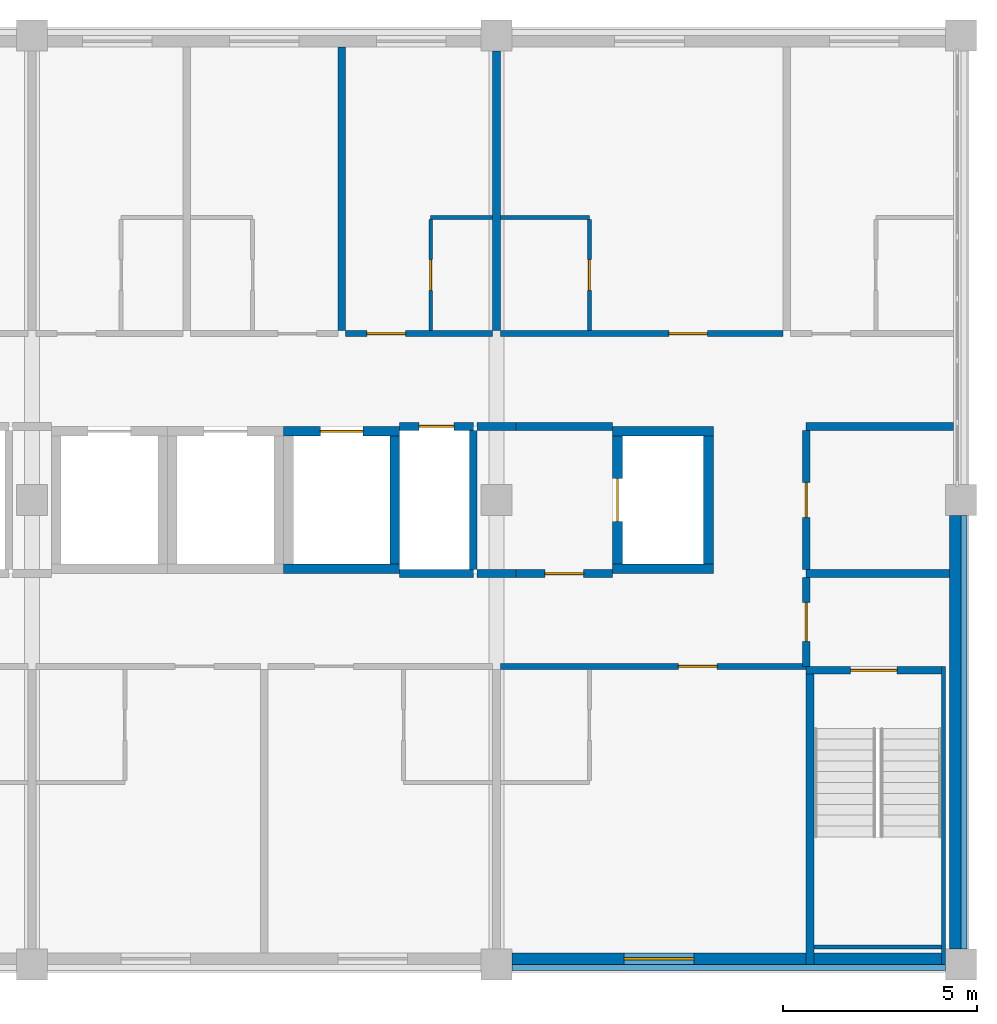
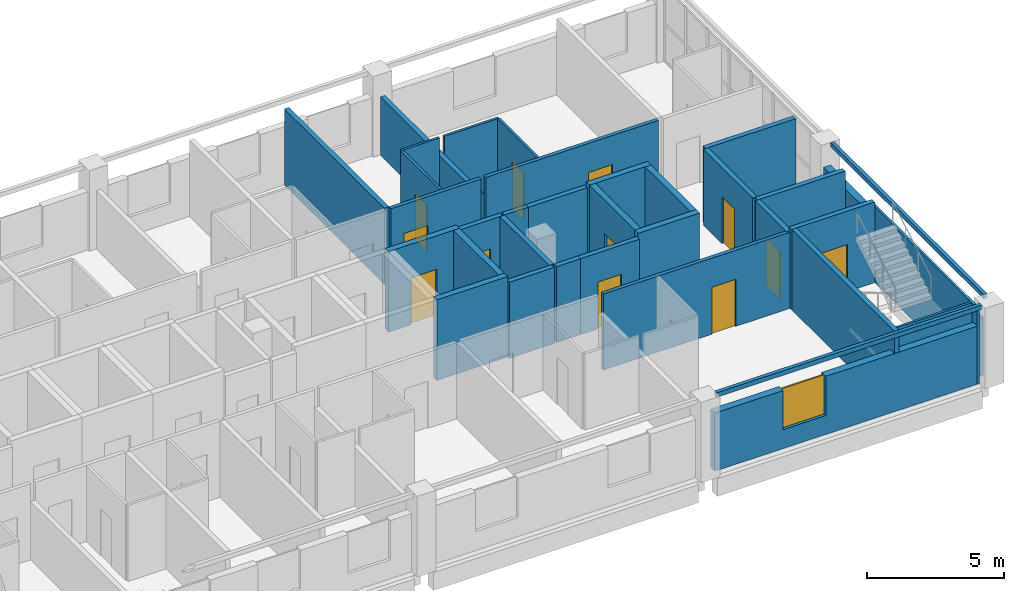
# One storey, part 9 of 11: 35 walls, 12 doors, 1 window, 13 openings.
"""IFC4 building model written with IfcOpenShell, lengths in metres."""

from ifc_helpers import new_model, si_unit, direction, frame, frame_2d, origin, place, context, subcontext, project, spatial, rectangle, extrude, material, layer, layer_set, type_object, element, fill, save


model = new_model("IFC4")

# Units and contexts
model_context = context("Model", 3, precision=1e-05, world=origin(), true_north=direction((0.0, 1.0)))
body_context = subcontext(model_context, "Body", "Model", "MODEL_VIEW")
ifc_project = project(units=[si_unit("LENGTHUNIT", "METRE"), si_unit("AREAUNIT", "SQUARE_METRE"), si_unit("VOLUMEUNIT", "CUBIC_METRE"), si_unit("PLANEANGLEUNIT", "RADIAN"), si_unit("MASSUNIT", "GRAM", prefix="KILO")], contexts=[model_context])

# Site, building, storey
site_placement = place(None, origin())
site = spatial("IfcSite", under=ifc_project, at=site_placement, CompositionType="ELEMENT")
building_placement = place(site_placement, origin())
building = spatial("IfcBuilding", under=site, at=building_placement, Name="Lilac Gate Convention Centre", CompositionType="ELEMENT")
storey_placement = place(building_placement, frame((0.0, 0.0, 46.199951171875)))
storey = spatial("IfcBuildingStorey", under=building, at=storey_placement, Name="L11", CompositionType="ELEMENT", Elevation=46.199951171875)

# Walls
ifc_material_1 = material(Name="Concrete C50", Category="concrete")
ifc_layer_1 = layer(ifc_material_1, 0.10009765625)
ifc_layer_set_1 = layer_set([ifc_layer_1], Name="Concrete C50")
wall_type_1 = type_object("IfcWallType", Name="Core wall 100 C50", PredefinedType="SHEAR", material=ifc_layer_set_1)
wall_1_placement = place(storey_placement, frame((89.550048828125, 229.699951171875, 0.0), z_axis=(0.0, 0.0, 1.0), x_axis=(0.0, -1.0, 0.0)))
element("IfcWall", 1, at=wall_1_placement, inside=storey, type_object=wall_type_1, Name="CRW9 core wall TS-EX L11 1", PredefinedType="SHEAR", context=body_context, shape_type="SweptSolid", body=[
    extrude(rectangle(XDim=7.699951171875, YDim=0.10009765625, at=frame_2d((3.85009765625, 0.0))), origin(), (0.0, 0.0, 1.0), 3.400146484375),
])
wall_2_placement = place(storey_placement, frame((89.5, 222.449951171875, 0.0), z_axis=(0.0, 0.0, 1.0), x_axis=(-1.0, 0.0, 0.0)))
element("IfcWall", 2, at=wall_2_placement, inside=storey, type_object=wall_type_1, Name="CRW9 core wall TS-EX L11 2", PredefinedType="SHEAR", context=body_context, shape_type="SweptSolid", body=[
    extrude(rectangle(XDim=3.300048828125, YDim=0.10009765625, at=frame_2d((1.64990234375, 0.0))), origin(), (0.0, 0.0, 1.0), 3.400146484375),
])

# Wall, opening, door
ifc_layer_2 = layer(ifc_material_1, 0.199951171875)
ifc_layer_set_2 = layer_set([ifc_layer_2], Name="Concrete C50")
wall_type_2 = type_object("IfcWallType", Name="Core wall 200 C50", PredefinedType="SHEAR", material=ifc_layer_set_2)
wall_3_placement = place(storey_placement, frame((89.5, 229.60009765625, 0.0), z_axis=(0.0, 0.0, 1.0), x_axis=(-1.0, 0.0, 0.0)))
wall_3 = element("IfcWall", 3, at=wall_3_placement, inside=storey, type_object=wall_type_2, Name="CRW6 core wall TS-E L11 1", PredefinedType="SHEAR", context=body_context, shape_type="SweptSolid", body=[
    extrude(rectangle(XDim=3.5, YDim=0.199951171875, at=frame_2d((1.75, 0.0))), origin(), (0.0, 0.0, 1.0), 3.60009765625),
])
opening_1_placement = place(wall_3_placement, frame((1.14990234375, 0.0, 0.0)))
opening_1 = element("IfcOpeningElement", 4, at=opening_1_placement, cuts=wall_3, Name="Opening T10-052", PredefinedType="OPENING", context=body_context, shape_type="SweptSolid", body=[
    extrude(rectangle(XDim=1.199951171875, YDim=2.10009765625, at=frame_2d((0.60009765625, 1.050048828125))), frame((0.0, 0.10986328125, 0.0), z_axis=(0.0, -1.0, 0.0), x_axis=(1.0, 0.0, 0.0)), (0.0, 0.0, 1.0), 0.219970703125),
])
ifc_material_2 = material(Name="Steel Q235B", Category="steel")
door_type_1 = type_object("IfcDoorType", Name="Stair door 1200", OperationType="SINGLE_SWING_LEFT", PredefinedType="DOOR", material=ifc_material_2)
door_1_placement = place(opening_1_placement, origin())
door_1 = element("IfcDoor", 5, at=door_1_placement, inside=storey, type_object=door_type_1, Name="Stair door SE L11", OperationType="SINGLE_SWING_RIGHT", OverallHeight=2.10009765625, OverallWidth=1.199951171875, PredefinedType="DOOR", context=body_context, shape_type="SweptSolid", body=[
    extrude(rectangle(XDim=1.199951171875, YDim=2.10009765625, at=frame_2d((0.60009765625, 1.050048828125))), frame((0.0, 0.02490234375, 0.0), z_axis=(0.0, -1.0, 0.0), x_axis=(1.0, 0.0, 0.0)), (0.0, 0.0, 1.0), 0.050048828125),
])
fill(opening_1, door_1)

# Walls
wall_4_placement = place(storey_placement, frame((86.10009765625, 222.0, 0.0), z_axis=(0.0, 0.0, 1.0), x_axis=(0.0, 1.0, 0.0)))
element("IfcWall", 6, at=wall_4_placement, inside=storey, type_object=wall_type_2, Name="CRW6 core wall TS-E L11 2", PredefinedType="SHEAR", context=body_context, shape_type="SweptSolid", body=[
    extrude(rectangle(XDim=7.5, YDim=0.199951171875, at=frame_2d((3.75, 0.0))), origin(), (0.0, 0.0, 1.0), 3.60009765625),
])
ifc_layer_3 = layer(ifc_material_1, 0.25)
ifc_layer_set_3 = layer_set([ifc_layer_3], Name="Concrete C50")
wall_type_3 = type_object("IfcWallType", Name="Core wall 250 C50", PredefinedType="SHEAR", material=ifc_layer_set_3)
wall_5_placement = place(storey_placement, frame((72.5, 232.22509765625, 0.0), z_axis=(0.0, 0.0, 1.0), x_axis=(1.0, 0.0, 0.0)))
element("IfcWall", 7, at=wall_5_placement, inside=storey, type_object=wall_type_3, Name="CRW4 core wall TC L11 21", PredefinedType="SHEAR", context=body_context, shape_type="SweptSolid", body=[
    extrude(rectangle(XDim=3.0, YDim=0.25, at=frame_2d((1.5, 0.0))), origin(), (0.0, 0.0, 1.0), 3.60009765625),
])

# Wall, opening, door
wall_6_placement = place(storey_placement, frame((72.5, 235.77490234375, 0.0), z_axis=(0.0, 0.0, 1.0), x_axis=(1.0, 0.0, 0.0)))
wall_6 = element("IfcWall", 8, at=wall_6_placement, inside=storey, type_object=wall_type_3, Name="CRW4 core wall TC L11 22", PredefinedType="SHEAR", context=body_context, shape_type="SweptSolid", body=[
    extrude(rectangle(XDim=3.0, YDim=0.25, at=frame_2d((1.5, 0.0))), origin(), (0.0, 0.0, 1.0), 3.60009765625),
])
opening_2_placement = place(wall_6_placement, frame((0.949951171875, 0.0, 0.0)))
opening_2 = element("IfcOpeningElement", 9, at=opening_2_placement, cuts=wall_6, Name="Opening T10-047", PredefinedType="OPENING", context=body_context, shape_type="SweptSolid", body=[
    extrude(rectangle(XDim=1.10009765625, YDim=2.10009765625, at=frame_2d((0.550048828125, 1.050048828125))), frame((0.0, 0.135009765625, 0.0), z_axis=(0.0, -1.0, 0.0), x_axis=(1.0, 0.0, 0.0)), (0.0, 0.0, 1.0), 0.27001953125),
])
ifc_material_3 = material(Name="Stainless steel 304", Category="steel")
door_type_2 = type_object("IfcDoorType", Name="Lift landing door 1100", OperationType="SLIDING_TO_LEFT", PredefinedType="DOOR", material=ifc_material_3)
door_2_placement = place(opening_2_placement, origin())
door_2 = element("IfcDoor", 10, at=door_2_placement, inside=storey, type_object=door_type_2, Name="Lift landing door TP6 L11", OperationType="SLIDING_TO_LEFT", OverallHeight=2.10009765625, OverallWidth=1.10009765625, PredefinedType="DOOR", context=body_context, shape_type="SweptSolid", body=[
    extrude(rectangle(XDim=1.10009765625, YDim=2.10009765625, at=frame_2d((0.550048828125, 1.050048828125))), frame((0.0, 0.02490234375, 0.0), z_axis=(0.0, -1.0, 0.0), x_axis=(1.0, 0.0, 0.0)), (0.0, 0.0, 1.0), 0.050048828125),
])
fill(opening_2, door_2)

# Walls
wall_7_placement = place(storey_placement, frame((75.375, 232.35009765625, 0.0), z_axis=(0.0, 0.0, 1.0), x_axis=(0.0, 1.0, 0.0)))
element("IfcWall", 11, at=wall_7_placement, inside=storey, type_object=wall_type_3, Name="CRW4 core wall TC L11 24", PredefinedType="SHEAR", context=body_context, shape_type="SweptSolid", body=[
    extrude(rectangle(XDim=3.2998046875, YDim=0.25, at=frame_2d((1.64990234375, 0.0))), origin(), (0.0, 0.0, 1.0), 3.60009765625),
])
for number, where, z_axis, x_axis, name in (
    (12, (81.0, 232.22509765625, 0.0), (0.0, 0.0, 1.0), (1.0, 0.0, 0.0), "CRW4 core wall TC L11 33"),
    (13, (81.0, 235.77490234375, 0.0), (0.0, 0.0, 1.0), (1.0, 0.0, 0.0), "CRW4 core wall TC L11 34"),
):
    element("IfcWall", number, at=place(storey_placement, frame(where, z_axis=z_axis, x_axis=x_axis)), inside=storey, type_object=wall_type_3, Name=name, PredefinedType="SHEAR", context=body_context, shape_type="SweptSolid", body=[
        extrude(rectangle(XDim=2.60009765625, YDim=0.25, at=frame_2d((1.300048828125, 0.0))), origin(), (0.0, 0.0, 1.0), 3.60009765625),
    ])

# Wall, opening, door
wall_8_placement = place(storey_placement, frame((81.125, 232.35009765625, 0.0), z_axis=(0.0, 0.0, 1.0), x_axis=(0.0, 1.0, 0.0)))
wall_8 = element("IfcWall", 14, at=wall_8_placement, inside=storey, type_object=wall_type_3, Name="CRW4 core wall TC L11 35", PredefinedType="SHEAR", context=body_context, shape_type="SweptSolid", body=[
    extrude(rectangle(XDim=3.2998046875, YDim=0.25, at=frame_2d((1.64990234375, 0.0))), origin(), (0.0, 0.0, 1.0), 3.60009765625),
])
opening_3_placement = place(wall_8_placement, frame((1.10009765625, 0.0, 0.0)))
opening_3 = element("IfcOpeningElement", 15, at=opening_3_placement, cuts=wall_8, Name="Opening T10-050", PredefinedType="OPENING", context=body_context, shape_type="SweptSolid", body=[
    extrude(rectangle(XDim=1.10009765625, YDim=2.10009765625, at=frame_2d((0.550048828125, 1.050048828125))), frame((0.0, 0.135009765625, 0.0), z_axis=(0.0, -1.0, 0.0), x_axis=(1.0, 0.0, 0.0)), (0.0, 0.0, 1.0), 0.27001953125),
])
door_3_placement = place(opening_3_placement, origin())
door_3 = element("IfcDoor", 16, at=door_3_placement, inside=storey, type_object=door_type_2, Name="Lift landing door TF1 L11", OperationType="SLIDING_TO_LEFT", OverallHeight=2.10009765625, OverallWidth=1.10009765625, PredefinedType="DOOR", context=body_context, shape_type="SweptSolid", body=[
    extrude(rectangle(XDim=1.10009765625, YDim=2.10009765625, at=frame_2d((0.550048828125, 1.050048828125))), frame((0.0, 0.02490234375, 0.0), z_axis=(0.0, -1.0, 0.0), x_axis=(1.0, 0.0, 0.0)), (0.0, 0.0, 1.0), 0.050048828125),
])
fill(opening_3, door_3)

# Wall
wall_9_placement = place(storey_placement, frame((83.47509765625, 232.35009765625, 0.0), z_axis=(0.0, 0.0, 1.0), x_axis=(0.0, 1.0, 0.0)))
element("IfcWall", 17, at=wall_9_placement, inside=storey, type_object=wall_type_3, Name="CRW4 core wall TC L11 36", PredefinedType="SHEAR", context=body_context, shape_type="SweptSolid", body=[
    extrude(rectangle(XDim=3.2998046875, YDim=0.25, at=frame_2d((1.64990234375, 0.0))), origin(), (0.0, 0.0, 1.0), 3.60009765625),
])

# Wall, opening, door
ifc_material_4 = material(Name="Gypsum board on steel stud", Category="steel")
ifc_layer_4 = layer(ifc_material_4, 0.14990234375)
ifc_layer_set_4 = layer_set([ifc_layer_4], Name="Gypsum board on steel stud")
wall_type_4 = type_object("IfcWallType", Name="Corridor wall 150", PredefinedType="PARTITIONING", material=ifc_layer_set_4)
wall_10_placement = place(storey_placement, frame((86.0, 229.699951171875, 0.0), z_axis=(0.0, 0.0, 1.0), x_axis=(-1.0, 0.0, 0.0)))
wall_10 = element("IfcWall", 18, at=wall_10_placement, inside=storey, type_object=wall_type_4, Name="Corridor wall 150 front 1108", PredefinedType="PARTITIONING", context=body_context, shape_type="SweptSolid", body=[
    extrude(rectangle(XDim=7.89990234375, YDim=0.14990234375, at=frame_2d((3.949951171875, 0.0))), origin(), (0.0, 0.0, 1.0), 3.400146484375),
])
opening_4_placement = place(wall_10_placement, frame((2.300048828125, 0.0, 0.0)))
opening_4 = element("IfcOpeningElement", 19, at=opening_4_placement, cuts=wall_10, Name="Opening T10-022", PredefinedType="OPENING", context=body_context, shape_type="SweptSolid", body=[
    extrude(rectangle(XDim=1.0, YDim=2.10009765625, at=frame_2d((0.5, 1.050048828125))), frame((0.0, 0.0849609375, 0.0), z_axis=(0.0, -1.0, 0.0), x_axis=(1.0, 0.0, 0.0)), (0.0, 0.0, 1.0), 0.169921875),
])
ifc_material_5 = material(Name="Timber", Category="wood")
door_type_3 = type_object("IfcDoorType", Name="Guest room entrance door 1000", OperationType="SINGLE_SWING_LEFT", PredefinedType="DOOR", material=ifc_material_5)
door_4_placement = place(opening_4_placement, origin())
door_4 = element("IfcDoor", 20, at=door_4_placement, inside=storey, type_object=door_type_3, Name="Guest room door 1108", OperationType="SINGLE_SWING_RIGHT", OverallHeight=2.10009765625, OverallWidth=1.0, PredefinedType="DOOR", context=body_context, shape_type="SweptSolid", body=[
    extrude(rectangle(XDim=1.0, YDim=2.10009765625, at=frame_2d((0.5, 1.050048828125))), frame((0.0, 0.02490234375, 0.0), z_axis=(0.0, -1.0, 0.0), x_axis=(1.0, 0.0, 0.0)), (0.0, 0.0, 1.0), 0.050048828125),
])
fill(opening_4, door_4)

wall_11_placement = place(storey_placement, frame((74.10009765625, 238.300048828125, 0.0), z_axis=(0.0, 0.0, 1.0), x_axis=(1.0, 0.0, 0.0)))
wall_11 = element("IfcWall", 21, at=wall_11_placement, inside=storey, type_object=wall_type_4, Name="Corridor wall 150 front 1115", PredefinedType="PARTITIONING", context=body_context, shape_type="SweptSolid", body=[
    extrude(rectangle(XDim=3.7998046875, YDim=0.14990234375, at=frame_2d((1.89990234375, 0.0))), origin(), (0.0, 0.0, 1.0), 3.400146484375),
])
opening_5_placement = place(wall_11_placement, frame((0.550048828125, 0.0, 0.0)))
opening_5 = element("IfcOpeningElement", 22, at=opening_5_placement, cuts=wall_11, Name="Opening T10-036", PredefinedType="OPENING", context=body_context, shape_type="SweptSolid", body=[
    extrude(rectangle(XDim=1.0, YDim=2.10009765625, at=frame_2d((0.5, 1.050048828125))), frame((0.0, 0.0849609375, 0.0), z_axis=(0.0, -1.0, 0.0), x_axis=(1.0, 0.0, 0.0)), (0.0, 0.0, 1.0), 0.169921875),
])
door_5_placement = place(opening_5_placement, origin())
door_5 = element("IfcDoor", 23, at=door_5_placement, inside=storey, type_object=door_type_3, Name="Guest room door 1115", OperationType="SINGLE_SWING_LEFT", OverallHeight=2.10009765625, OverallWidth=1.0, PredefinedType="DOOR", context=body_context, shape_type="SweptSolid", body=[
    extrude(rectangle(XDim=1.0, YDim=2.10009765625, at=frame_2d((0.5, 1.050048828125))), frame((0.0, 0.02490234375, 0.0), z_axis=(0.0, -1.0, 0.0), x_axis=(1.0, 0.0, 0.0)), (0.0, 0.0, 1.0), 0.050048828125),
])
fill(opening_5, door_5)

wall_12_placement = place(storey_placement, frame((78.10009765625, 238.300048828125, 0.0), z_axis=(0.0, 0.0, 1.0), x_axis=(1.0, 0.0, 0.0)))
wall_12 = element("IfcWall", 24, at=wall_12_placement, inside=storey, type_object=wall_type_4, Name="Corridor wall 150 front 1116", PredefinedType="PARTITIONING", context=body_context, shape_type="SweptSolid", body=[
    extrude(rectangle(XDim=7.2998046875, YDim=0.14990234375, at=frame_2d((3.64990234375, 0.0))), origin(), (0.0, 0.0, 1.0), 3.400146484375),
])
opening_6_placement = place(wall_12_placement, frame((4.35009765625, 0.0, 0.0)))
opening_6 = element("IfcOpeningElement", 25, at=opening_6_placement, cuts=wall_12, Name="Opening T10-038", PredefinedType="OPENING", context=body_context, shape_type="SweptSolid", body=[
    extrude(rectangle(XDim=1.0, YDim=2.10009765625, at=frame_2d((0.5, 1.050048828125))), frame((0.0, 0.0849609375, 0.0), z_axis=(0.0, -1.0, 0.0), x_axis=(1.0, 0.0, 0.0)), (0.0, 0.0, 1.0), 0.169921875),
])
door_6_placement = place(opening_6_placement, origin())
door_6 = element("IfcDoor", 26, at=door_6_placement, inside=storey, type_object=door_type_3, Name="Guest room door 1116", OperationType="SINGLE_SWING_LEFT", OverallHeight=2.10009765625, OverallWidth=1.0, PredefinedType="DOOR", context=body_context, shape_type="SweptSolid", body=[
    extrude(rectangle(XDim=1.0, YDim=2.10009765625, at=frame_2d((0.5, 1.050048828125))), frame((0.0, 0.02490234375, 0.0), z_axis=(0.0, -1.0, 0.0), x_axis=(1.0, 0.0, 0.0)), (0.0, 0.0, 1.0), 0.050048828125),
])
fill(opening_6, door_6)

# Wall
ifc_layer_5 = layer(ifc_material_4, 0.10009765625)
ifc_layer_set_5 = layer_set([ifc_layer_5], Name="Gypsum board on steel stud")
wall_type_5 = type_object("IfcWallType", Name="En-suite wall 100", PredefinedType="PARTITIONING", material=ifc_layer_set_5)
wall_13_placement = place(storey_placement, frame((76.300048828125, 241.300048828125, 0.0), z_axis=(0.0, 0.0, 1.0), x_axis=(1.0, 0.0, 0.0)))
element("IfcWall", 27, at=wall_13_placement, inside=storey, type_object=wall_type_5, Name="En-suite wall 100 bath 1115", PredefinedType="PARTITIONING", context=body_context, shape_type="SweptSolid", body=[
    extrude(rectangle(XDim=1.599853515625, YDim=0.10009765625, at=frame_2d((0.7998046875, 0.0))), origin(), (0.0, 0.0, 1.0), 3.400146484375),
])

# Wall, opening, door
wall_14_placement = place(storey_placement, frame((76.300048828125, 238.375, 0.0), z_axis=(0.0, 0.0, 1.0), x_axis=(0.0, 1.0, 0.0)))
wall_14 = element("IfcWall", 28, at=wall_14_placement, inside=storey, type_object=wall_type_5, Name="En-suite wall 100 bath side 1115", PredefinedType="PARTITIONING", context=body_context, shape_type="SweptSolid", body=[
    extrude(rectangle(XDim=2.875, YDim=0.10009765625, at=frame_2d((1.4375, 0.0))), origin(), (0.0, 0.0, 1.0), 3.400146484375),
])
opening_7_placement = place(wall_14_placement, frame((1.03759765625, 0.0, 0.0)))
opening_7 = element("IfcOpeningElement", 29, at=opening_7_placement, cuts=wall_14, Name="Opening T10-037", PredefinedType="OPENING", context=body_context, shape_type="SweptSolid", body=[
    extrude(rectangle(XDim=0.800048828125, YDim=2.10009765625, at=frame_2d((0.39990234375, 1.050048828125))), frame((0.0, 0.06005859375, 0.0), z_axis=(0.0, -1.0, 0.0), x_axis=(1.0, 0.0, 0.0)), (0.0, 0.0, 1.0), 0.1201171875),
])
door_type_4 = type_object("IfcDoorType", Name="En-suite door 800", OperationType="SINGLE_SWING_LEFT", PredefinedType="DOOR", material=ifc_material_5)
door_7_placement = place(opening_7_placement, origin())
door_7 = element("IfcDoor", 30, at=door_7_placement, inside=storey, type_object=door_type_4, Name="En-suite door 1115", OperationType="SINGLE_SWING_LEFT", OverallHeight=2.10009765625, OverallWidth=0.800048828125, PredefinedType="DOOR", context=body_context, shape_type="SweptSolid", body=[
    extrude(rectangle(XDim=0.800048828125, YDim=2.10009765625, at=frame_2d((0.39990234375, 1.050048828125))), frame((0.0, 0.02490234375, 0.0), z_axis=(0.0, -1.0, 0.0), x_axis=(1.0, 0.0, 0.0)), (0.0, 0.0, 1.0), 0.050048828125),
])
fill(opening_7, door_7)

# Wall
wall_15_placement = place(storey_placement, frame((78.10009765625, 241.300048828125, 0.0), z_axis=(0.0, 0.0, 1.0), x_axis=(1.0, 0.0, 0.0)))
element("IfcWall", 31, at=wall_15_placement, inside=storey, type_object=wall_type_5, Name="En-suite wall 100 bath 1116", PredefinedType="PARTITIONING", context=body_context, shape_type="SweptSolid", body=[
    extrude(rectangle(XDim=2.2998046875, YDim=0.10009765625, at=frame_2d((1.14990234375, 0.0))), origin(), (0.0, 0.0, 1.0), 3.400146484375),
])

# Wall, opening, door
wall_16_placement = place(storey_placement, frame((80.39990234375, 241.25, 0.0), z_axis=(0.0, 0.0, 1.0), x_axis=(0.0, -1.0, 0.0)))
wall_16 = element("IfcWall", 32, at=wall_16_placement, inside=storey, type_object=wall_type_5, Name="En-suite wall 100 bath side 1116", PredefinedType="PARTITIONING", context=body_context, shape_type="SweptSolid", body=[
    extrude(rectangle(XDim=2.875, YDim=0.10009765625, at=frame_2d((1.4375, 0.0))), origin(), (0.0, 0.0, 1.0), 3.400146484375),
])
opening_8_placement = place(wall_16_placement, frame((1.03759765625, 0.0, 0.0)))
opening_8 = element("IfcOpeningElement", 33, at=opening_8_placement, cuts=wall_16, Name="Opening T10-039", PredefinedType="OPENING", context=body_context, shape_type="SweptSolid", body=[
    extrude(rectangle(XDim=0.800048828125, YDim=2.10009765625, at=frame_2d((0.39990234375, 1.050048828125))), frame((0.0, 0.06005859375, 0.0), z_axis=(0.0, -1.0, 0.0), x_axis=(1.0, 0.0, 0.0)), (0.0, 0.0, 1.0), 0.1201171875),
])
door_8_placement = place(opening_8_placement, origin())
door_8 = element("IfcDoor", 34, at=door_8_placement, inside=storey, type_object=door_type_4, Name="En-suite door 1116", OperationType="SINGLE_SWING_RIGHT", OverallHeight=2.10009765625, OverallWidth=0.800048828125, PredefinedType="DOOR", context=body_context, shape_type="SweptSolid", body=[
    extrude(rectangle(XDim=0.800048828125, YDim=2.10009765625, at=frame_2d((0.39990234375, 1.050048828125))), frame((0.0, 0.02490234375, 0.0), z_axis=(0.0, -1.0, 0.0), x_axis=(1.0, 0.0, 0.0)), (0.0, 0.0, 1.0), 0.050048828125),
])
fill(opening_8, door_8)

# Walls
ifc_layer_6 = layer(ifc_material_4, 0.199951171875)
ifc_layer_set_6 = layer_set([ifc_layer_6], Name="Gypsum board on steel stud")
wall_type_6 = type_object("IfcWallType", Name="Guest room party wall 200", PredefinedType="PARTITIONING", material=ifc_layer_set_6)
wall_17_placement = place(storey_placement, frame((74.0, 245.7001953125, 0.0), z_axis=(0.0, 0.0, 1.0), x_axis=(0.0, -1.0, 0.0)))
element("IfcWall", 35, at=wall_17_placement, inside=storey, type_object=wall_type_6, Name="Guest room party wall 200 party 74.0", PredefinedType="PARTITIONING", context=body_context, shape_type="SweptSolid", body=[
    extrude(rectangle(XDim=7.3251953125, YDim=0.199951171875, at=frame_2d((3.66259765625, 0.0))), origin(), (0.0, 0.0, 1.0), 3.400146484375),
])
wall_18_placement = place(storey_placement, frame((78.0, 245.60009765625, 0.0), z_axis=(0.0, 0.0, 1.0), x_axis=(0.0, -1.0, 0.0)))
element("IfcWall", 36, at=wall_18_placement, inside=storey, type_object=wall_type_6, Name="Guest room party wall 200 party 78.0", PredefinedType="PARTITIONING", context=body_context, shape_type="SweptSolid", body=[
    extrude(rectangle(XDim=7.22509765625, YDim=0.199951171875, at=frame_2d((3.612548828125, 0.0))), origin(), (0.0, 0.0, 1.0), 2.60009765625),
])

# Wall, opening, door
ifc_layer_7 = layer(ifc_material_4, 0.199951171875)
ifc_layer_set_7 = layer_set([ifc_layer_7], Name="Gypsum board on steel stud")
wall_type_7 = type_object("IfcWallType", Name="Lobby wall 200", PredefinedType="PARTITIONING", material=ifc_layer_set_7)
wall_19_placement = place(storey_placement, frame((78.5, 232.10009765625, 0.0), z_axis=(0.0, 0.0, 1.0), x_axis=(1.0, 0.0, 0.0)))
wall_19 = element("IfcWall", 37, at=wall_19_placement, inside=storey, type_object=wall_type_7, Name="Lobby wall 200 FFL-S", PredefinedType="PARTITIONING", context=body_context, shape_type="SweptSolid", body=[
    extrude(rectangle(XDim=2.5, YDim=0.199951171875, at=frame_2d((1.25, 0.0))), origin(), (0.0, 0.0, 1.0), 3.400146484375),
])
opening_9_placement = place(wall_19_placement, frame((0.75, 0.0, 0.0)))
opening_9 = element("IfcOpeningElement", 38, at=opening_9_placement, cuts=wall_19, Name="Opening T10-004", PredefinedType="OPENING", context=body_context, shape_type="SweptSolid", body=[
    extrude(rectangle(XDim=1.0, YDim=2.10009765625, at=frame_2d((0.5, 1.050048828125))), frame((0.0, 0.10986328125, 0.0), z_axis=(0.0, -1.0, 0.0), x_axis=(1.0, 0.0, 0.0)), (0.0, 0.0, 1.0), 0.219970703125),
])
door_type_5 = type_object("IfcDoorType", Name="Lobby door 1000", OperationType="SINGLE_SWING_LEFT", PredefinedType="DOOR", material=ifc_material_2)
door_9_placement = place(opening_9_placement, origin())
door_9 = element("IfcDoor", 39, at=door_9_placement, inside=storey, type_object=door_type_5, Name="Firefighting lobby door", OperationType="SINGLE_SWING_RIGHT", OverallHeight=2.10009765625, OverallWidth=1.0, PredefinedType="DOOR", context=body_context, shape_type="SweptSolid", body=[
    extrude(rectangle(XDim=1.0, YDim=2.10009765625, at=frame_2d((0.5, 1.050048828125))), frame((0.0, 0.02490234375, 0.0), z_axis=(0.0, -1.0, 0.0), x_axis=(1.0, 0.0, 0.0)), (0.0, 0.0, 1.0), 0.050048828125),
])
fill(opening_9, door_9)

# Walls
wall_20_placement = place(storey_placement, frame((86.0, 232.10009765625, 0.0), z_axis=(0.0, 0.0, 1.0), x_axis=(1.0, 0.0, 0.0)))
element("IfcWall", 40, at=wall_20_placement, inside=storey, type_object=wall_type_7, Name="Lobby wall 200 STL-N", PredefinedType="PARTITIONING", context=body_context, shape_type="SweptSolid", body=[
    extrude(rectangle(XDim=3.7001953125, YDim=0.199951171875, at=frame_2d((1.85009765625, 0.0))), origin(), (0.0, 0.0, 1.0), 3.400146484375),
])
wall_21_placement = place(storey_placement, frame((78.5, 235.89990234375, 0.0), z_axis=(0.0, 0.0, 1.0), x_axis=(1.0, 0.0, 0.0)))
element("IfcWall", 41, at=wall_21_placement, inside=storey, type_object=wall_type_7, Name="Lobby wall 200 FFL-N", PredefinedType="PARTITIONING", context=body_context, shape_type="SweptSolid", body=[
    extrude(rectangle(XDim=2.5, YDim=0.199951171875, at=frame_2d((1.25, 0.0))), origin(), (0.0, 0.0, 1.0), 3.400146484375),
])

# Wall, opening, door
wall_22_placement = place(storey_placement, frame((86.0, 232.0, 0.0), z_axis=(0.0, 0.0, 1.0), x_axis=(0.0, -1.0, 0.0)))
wall_22 = element("IfcWall", 42, at=wall_22_placement, inside=storey, type_object=wall_type_7, Name="Lobby wall 200 STL-SE-W", PredefinedType="PARTITIONING", context=body_context, shape_type="SweptSolid", body=[
    extrude(rectangle(XDim=2.300048828125, YDim=0.199951171875, at=frame_2d((1.14990234375, 0.0))), origin(), (0.0, 0.0, 1.0), 3.400146484375),
])
opening_10_placement = place(wall_22_placement, frame((0.64990234375, 0.0, 0.0)))
opening_10 = element("IfcOpeningElement", 43, at=opening_10_placement, cuts=wall_22, Name="Opening T10-007", PredefinedType="OPENING", context=body_context, shape_type="SweptSolid", body=[
    extrude(rectangle(XDim=1.0, YDim=2.10009765625, at=frame_2d((0.5, 1.050048828125))), frame((0.0, 0.10986328125, 0.0), z_axis=(0.0, -1.0, 0.0), x_axis=(1.0, 0.0, 0.0)), (0.0, 0.0, 1.0), 0.219970703125),
])
door_10_placement = place(opening_10_placement, origin())
door_10 = element("IfcDoor", 44, at=door_10_placement, inside=storey, type_object=door_type_5, Name="Stair lobby door SE", OperationType="SINGLE_SWING_LEFT", OverallHeight=2.10009765625, OverallWidth=1.0, PredefinedType="DOOR", context=body_context, shape_type="SweptSolid", body=[
    extrude(rectangle(XDim=1.0, YDim=2.10009765625, at=frame_2d((0.5, 1.050048828125))), frame((0.0, 0.02490234375, 0.0), z_axis=(0.0, -1.0, 0.0), x_axis=(1.0, 0.0, 0.0)), (0.0, 0.0, 1.0), 0.050048828125),
])
fill(opening_10, door_10)

# Walls
ifc_material_6 = material(Name="Concrete C40 precast", Category="concrete")
ifc_layer_8 = layer(ifc_material_6, 0.1298828125)
ifc_material_7 = material(Name="Teal glazed cladding")
ifc_layer_9 = layer(ifc_material_7, 0.02001953125)
ifc_layer_set_8 = layer_set([ifc_layer_8, ifc_layer_9], Name="Concrete C40 precast, Teal glazed cladding")
wall_type_8 = type_object("IfcWallType", Name="Precast band teal 150", PredefinedType="STANDARD", material=ifc_layer_set_8)
for number, where, z_axis, x_axis, name in (
    (45, (78.39990234375, 221.925048828125, 3.400146484375), (0.0, 0.0, 1.0), (1.0, 0.0, 0.0), "Precast band S L11 4"),
    (46, (90.074951171875, 222.39990234375, 3.400146484375), (0.0, 0.0, 1.0), (0.0, 1.0, 0.0), "Precast band E L11 1"),
):
    element("IfcWall", number, at=place(storey_placement, frame(where, z_axis=z_axis, x_axis=x_axis)), inside=storey, type_object=wall_type_8, Name=name, PredefinedType="STANDARD", context=body_context, shape_type="SweptSolid", body=[
        extrude(rectangle(XDim=11.2001953125, YDim=0.14990234375, at=frame_2d((5.60009765625, 0.0))), origin(), (0.0, 0.0, 1.0), 0.199951171875),
    ])

# Wall, opening, window
ifc_material_8 = material(Name="Ochre mineral render")
ifc_layer_10 = layer(ifc_material_8, 0.02001953125)
ifc_layer_11 = layer(ifc_material_6, 0.06005859375)
ifc_material_9 = material(Name="Ventilated air cavity")
ifc_layer_12 = layer(ifc_material_9, 0.030029296875)
ifc_material_10 = material(Name="Mineral wool insulation")
ifc_layer_13 = layer(ifc_material_10, 0.1201171875)
ifc_material_11 = material(Name="Steel stud Q345 and gypsum lining", Category="steel")
ifc_layer_14 = layer(ifc_material_11, 0.070068359375)
ifc_layer_set_9 = layer_set([ifc_layer_10, ifc_layer_11, ifc_layer_12, ifc_layer_13, ifc_layer_14], Name="Ochre mineral render, Concrete C40 precast, Ventilated air cavity, Mineral wool insulation, Steel stud Q345 and gypsum lining")
wall_type_9 = type_object("IfcWallType", Name="Precast panel wall ochre 300", PredefinedType="STANDARD", material=ifc_layer_set_9)
wall_23_placement = place(storey_placement, frame((78.39990234375, 222.14990234375, 0.0), z_axis=(0.0, 0.0, 1.0), x_axis=(1.0, 0.0, 0.0)))
wall_23 = element("IfcWall", 47, at=wall_23_placement, inside=storey, type_object=wall_type_9, Name="External wall S L11 4", PredefinedType="STANDARD", context=body_context, shape_type="SweptSolid", body=[
    extrude(rectangle(XDim=11.2001953125, YDim=0.300048828125, at=frame_2d((5.60009765625, 0.0))), origin(), (0.0, 0.0, 1.0), 2.60009765625),
])
opening_11_placement = place(wall_23_placement, frame((2.89990234375, 0.0, 0.85009765625)))
opening_11 = element("IfcOpeningElement", 48, at=opening_11_placement, cuts=wall_23, Name="Opening W1", PredefinedType="OPENING", context=body_context, shape_type="SweptSolid", body=[
    extrude(rectangle(XDim=1.800048828125, YDim=1.75, at=frame_2d((0.89990234375, 0.875))), frame((0.0, 0.159912109375, 0.0), z_axis=(0.0, -1.0, 0.0), x_axis=(1.0, 0.0, 0.0)), (0.0, 0.0, 1.0), 0.320068359375),
])
ifc_material_12 = material(Name="Aluminium framed double glazing", Category="aluminium")
window_type = type_object("IfcWindowType", Name="Guest room window 1800 x 1750", PartitioningType="DOUBLE_PANEL_VERTICAL", PredefinedType="WINDOW", material=ifc_material_12)
window_placement = place(opening_11_placement, origin())
window = element("IfcWindow", 49, at=window_placement, inside=storey, type_object=window_type, Name="Window Guest S L11", OverallHeight=1.75, OverallWidth=1.800048828125, PartitioningType="SINGLE_PANEL", PredefinedType="WINDOW", context=body_context, shape_type="SweptSolid", body=[
    extrude(rectangle(XDim=1.800048828125, YDim=1.75, at=frame_2d((0.89990234375, 0.875))), frame((0.0, 0.030029296875, 0.0), z_axis=(0.0, -1.0, 0.0), x_axis=(1.0, 0.0, 0.0)), (0.0, 0.0, 1.0), 0.06005859375),
])
fill(opening_11, window)

# Walls
wall_24_placement = place(storey_placement, frame((89.85009765625, 222.39990234375, 0.0), z_axis=(0.0, 0.0, 1.0), x_axis=(0.0, 1.0, 0.0)))
element("IfcWall", 50, at=wall_24_placement, inside=storey, type_object=wall_type_9, Name="External wall E L11 1", PredefinedType="STANDARD", context=body_context, shape_type="SweptSolid", body=[
    extrude(rectangle(XDim=11.2001953125, YDim=0.300048828125, at=frame_2d((5.60009765625, 0.0))), origin(), (0.0, 0.0, 1.0), 2.60009765625),
])
ifc_layer_15 = layer(ifc_material_4, 0.199951171875)
ifc_layer_set_10 = layer_set([ifc_layer_15], Name="Gypsum board on steel stud")
wall_type_10 = type_object("IfcWallType", Name="Riser and store wall 200", PredefinedType="PARTITIONING", material=ifc_layer_set_10)
wall_25_placement = place(storey_placement, frame((75.5, 232.10009765625, 0.0), z_axis=(0.0, 0.0, 1.0), x_axis=(1.0, 0.0, 0.0)))
element("IfcWall", 51, at=wall_25_placement, inside=storey, type_object=wall_type_10, Name="Riser and store wall 200 RS2-S", PredefinedType="PARTITIONING", context=body_context, shape_type="SweptSolid", body=[
    extrude(rectangle(XDim=1.89990234375, YDim=0.199951171875, at=frame_2d((0.949951171875, 0.0))), origin(), (0.0, 0.0, 1.0), 3.400146484375),
])
wall_26_placement = place(storey_placement, frame((77.5, 232.10009765625, 0.0), z_axis=(0.0, 0.0, 1.0), x_axis=(1.0, 0.0, 0.0)))
element("IfcWall", 52, at=wall_26_placement, inside=storey, type_object=wall_type_10, Name="Riser and store wall 200 NICHE3-S", PredefinedType="PARTITIONING", context=body_context, shape_type="SweptSolid", body=[
    extrude(rectangle(XDim=1.0, YDim=0.199951171875, at=frame_2d((0.5, 0.0))), origin(), (0.0, 0.0, 1.0), 3.400146484375),
])

# Wall, opening, door
wall_27_placement = place(storey_placement, frame((77.39990234375, 235.89990234375, 0.0), z_axis=(0.0, 0.0, 1.0), x_axis=(-1.0, 0.0, 0.0)))
wall_27 = element("IfcWall", 53, at=wall_27_placement, inside=storey, type_object=wall_type_10, Name="Riser and store wall 200 RS2-N", PredefinedType="PARTITIONING", context=body_context, shape_type="SweptSolid", body=[
    extrude(rectangle(XDim=1.89990234375, YDim=0.199951171875, at=frame_2d((0.949951171875, 0.0))), origin(), (0.0, 0.0, 1.0), 3.400146484375),
])
opening_12_placement = place(wall_27_placement, frame((0.5, 0.0, 0.0)))
opening_12 = element("IfcOpeningElement", 54, at=opening_12_placement, cuts=wall_27, Name="Opening T10-003", PredefinedType="OPENING", context=body_context, shape_type="SweptSolid", body=[
    extrude(rectangle(XDim=0.89990234375, YDim=2.10009765625, at=frame_2d((0.449951171875, 1.050048828125))), frame((0.0, 0.10986328125, 0.0), z_axis=(0.0, -1.0, 0.0), x_axis=(1.0, 0.0, 0.0)), (0.0, 0.0, 1.0), 0.219970703125),
])
door_type_6 = type_object("IfcDoorType", Name="Riser and store door 900", OperationType="SINGLE_SWING_LEFT", PredefinedType="DOOR", material=ifc_material_2)
door_11_placement = place(opening_12_placement, origin())
door_11 = element("IfcDoor", 55, at=door_11_placement, inside=storey, type_object=door_type_6, Name="Riser room door", OperationType="SINGLE_SWING_LEFT", OverallHeight=2.10009765625, OverallWidth=0.89990234375, PredefinedType="DOOR", context=body_context, shape_type="SweptSolid", body=[
    extrude(rectangle(XDim=0.89990234375, YDim=2.10009765625, at=frame_2d((0.449951171875, 1.050048828125))), frame((0.0, 0.02490234375, 0.0), z_axis=(0.0, -1.0, 0.0), x_axis=(1.0, 0.0, 0.0)), (0.0, 0.0, 1.0), 0.050048828125),
])
fill(opening_12, door_11)

# Walls
wall_28_placement = place(storey_placement, frame((77.5, 235.89990234375, 0.0), z_axis=(0.0, 0.0, 1.0), x_axis=(1.0, 0.0, 0.0)))
element("IfcWall", 56, at=wall_28_placement, inside=storey, type_object=wall_type_10, Name="Riser and store wall 200 NICHE3-N", PredefinedType="PARTITIONING", context=body_context, shape_type="SweptSolid", body=[
    extrude(rectangle(XDim=1.0, YDim=0.199951171875, at=frame_2d((0.5, 0.0))), origin(), (0.0, 0.0, 1.0), 3.400146484375),
])
wall_29_placement = place(storey_placement, frame((86.0, 235.89990234375, 0.0), z_axis=(0.0, 0.0, 1.0), x_axis=(1.0, 0.0, 0.0)))
element("IfcWall", 57, at=wall_29_placement, inside=storey, type_object=wall_type_10, Name="Riser and store wall 200 STE-N", PredefinedType="PARTITIONING", context=body_context, shape_type="SweptSolid", body=[
    extrude(rectangle(XDim=3.7998046875, YDim=0.199951171875, at=frame_2d((1.89990234375, 0.0))), origin(), (0.0, 0.0, 1.0), 3.400146484375),
])
wall_30_placement = place(storey_placement, frame((77.39990234375, 232.199951171875, 0.0), z_axis=(0.0, 0.0, 1.0), x_axis=(0.0, 1.0, 0.0)))
element("IfcWall", 58, at=wall_30_placement, inside=storey, type_object=wall_type_10, Name="Riser and store wall 200 RS2-E", PredefinedType="PARTITIONING", context=body_context, shape_type="SweptSolid", body=[
    extrude(rectangle(XDim=3.60009765625, YDim=0.199951171875, at=frame_2d((1.800048828125, 0.0))), origin(), (0.0, 0.0, 1.0), 3.400146484375),
])

# Wall, opening, door
wall_31_placement = place(storey_placement, frame((86.0, 235.800048828125, 0.0), z_axis=(0.0, 0.0, 1.0), x_axis=(0.0, -1.0, 0.0)))
wall_31 = element("IfcWall", 59, at=wall_31_placement, inside=storey, type_object=wall_type_10, Name="Riser and store wall 200 STE-W", PredefinedType="PARTITIONING", context=body_context, shape_type="SweptSolid", body=[
    extrude(rectangle(XDim=3.60009765625, YDim=0.199951171875, at=frame_2d((1.800048828125, 0.0))), origin(), (0.0, 0.0, 1.0), 3.400146484375),
])
opening_13_placement = place(wall_31_placement, frame((1.35009765625, 0.0, 0.0)))
opening_13 = element("IfcOpeningElement", 60, at=opening_13_placement, cuts=wall_31, Name="Opening T10-005", PredefinedType="OPENING", context=body_context, shape_type="SweptSolid", body=[
    extrude(rectangle(XDim=0.89990234375, YDim=2.10009765625, at=frame_2d((0.449951171875, 1.050048828125))), frame((0.0, 0.10986328125, 0.0), z_axis=(0.0, -1.0, 0.0), x_axis=(1.0, 0.0, 0.0)), (0.0, 0.0, 1.0), 0.219970703125),
])
door_12_placement = place(opening_13_placement, origin())
door_12 = element("IfcDoor", 61, at=door_12_placement, inside=storey, type_object=door_type_6, Name="Linen store door", OperationType="SINGLE_SWING_LEFT", OverallHeight=2.10009765625, OverallWidth=0.89990234375, PredefinedType="DOOR", context=body_context, shape_type="SweptSolid", body=[
    extrude(rectangle(XDim=0.89990234375, YDim=2.10009765625, at=frame_2d((0.449951171875, 1.050048828125))), frame((0.0, 0.02490234375, 0.0), z_axis=(0.0, -1.0, 0.0), x_axis=(1.0, 0.0, 0.0)), (0.0, 0.0, 1.0), 0.050048828125),
])
fill(opening_13, door_12)

save(model, "model.ifc")
